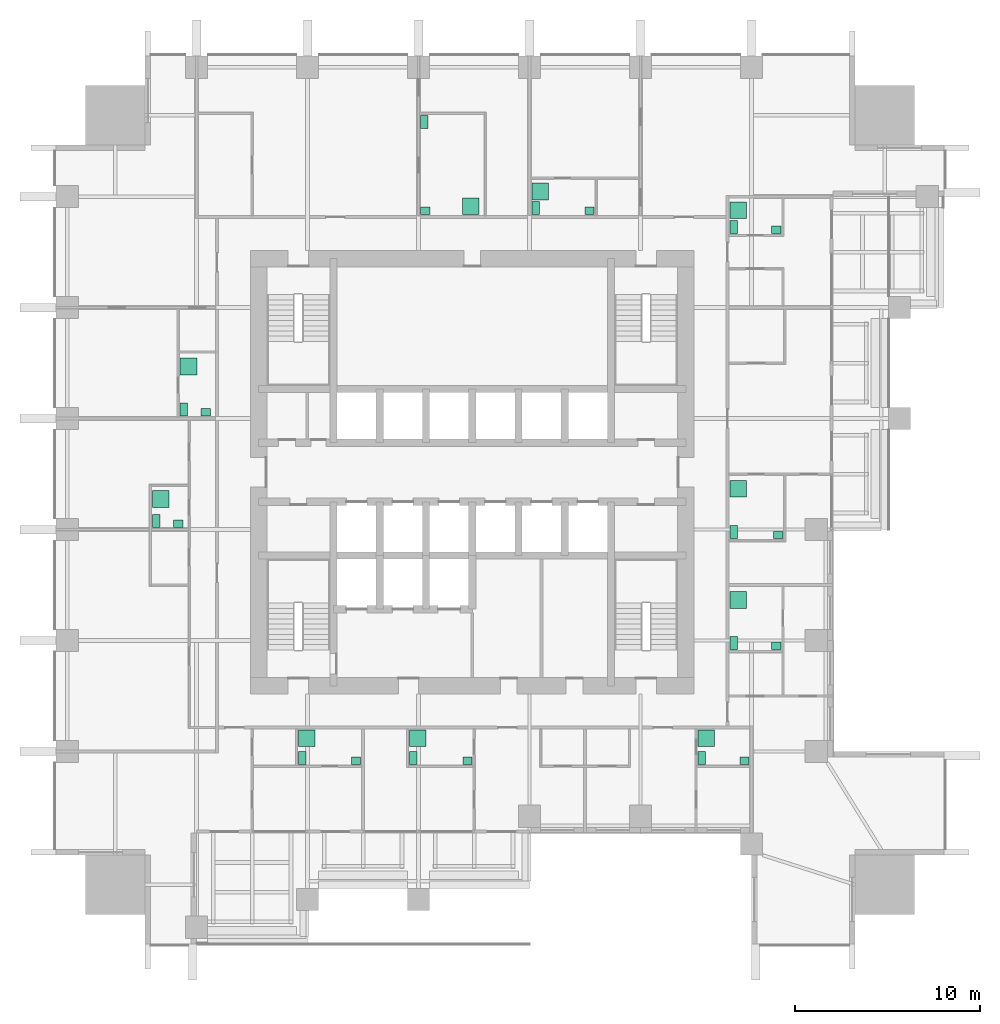
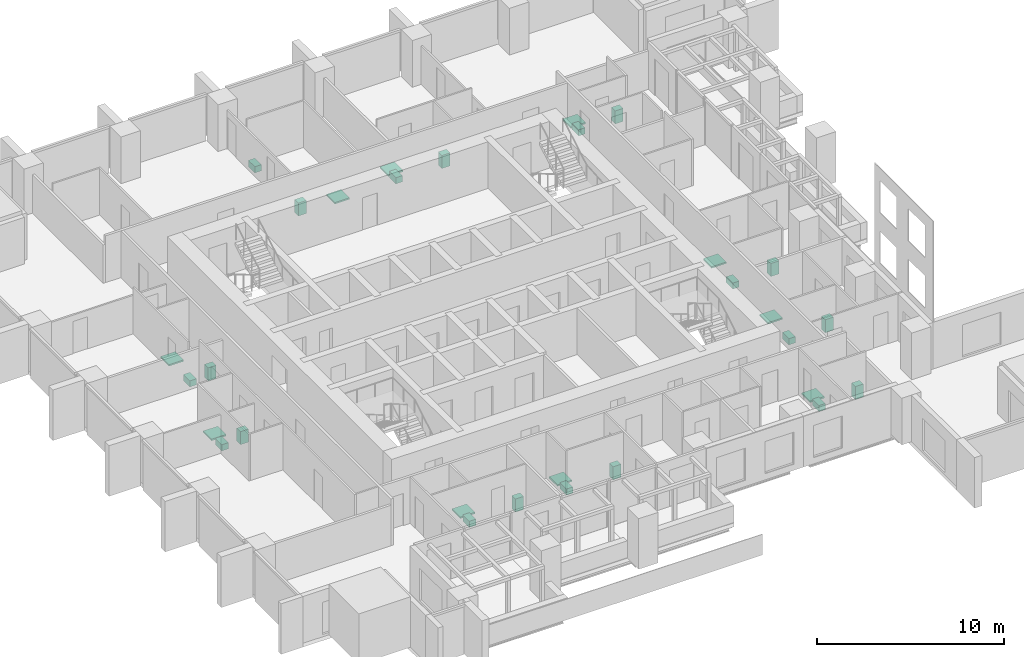
# One storey, part 15 of 15: 30 sanitary terminals.
"""IFC4 building model written with IfcOpenShell, lengths in metres."""

from ifc_helpers import new_model, si_unit, direction, frame, origin, origin_2d, place, context, subcontext, project, spatial, rectangle, extrude, element, save


model = new_model("IFC4")

# Units and contexts
model_context = context("Model", 3, precision=1e-05, world=origin(), true_north=direction((0.0, 1.0)))
body_context = subcontext(model_context, "Body", "Model", "MODEL_VIEW")
ifc_project = project(units=[si_unit("LENGTHUNIT", "METRE"), si_unit("AREAUNIT", "SQUARE_METRE"), si_unit("VOLUMEUNIT", "CUBIC_METRE"), si_unit("PLANEANGLEUNIT", "RADIAN"), si_unit("MASSUNIT", "GRAM", prefix="KILO")], contexts=[model_context])

# Site, building, storey
site_placement = place(None, origin())
site = spatial("IfcSite", under=ifc_project, at=site_placement, CompositionType="ELEMENT")
building_placement = place(site_placement, origin())
building = spatial("IfcBuilding", under=site, at=building_placement, Name="Amberfall Residences", CompositionType="ELEMENT")
storey_placement = place(building_placement, frame((0.0, 0.0, 53.199951171875)))
storey = spatial("IfcBuildingStorey", under=building, at=storey_placement, Name="L14", CompositionType="ELEMENT", Elevation=53.199951171875)

# Sanitary terminals
sanitary_terminal_1_placement = place(storey_placement, frame((65.31005859375, 30.06005859375, 0.0), z_axis=(0.0, 0.0, 1.0), x_axis=(1.0, 0.0, 0.0)))
element("IfcSanitaryTerminal", 1, at=sanitary_terminal_1_placement, inside=storey, Name="Water closet 1401", PredefinedType="TOILETPAN", context=body_context, shape_type="SweptSolid", body=[
    extrude(rectangle(XDim=0.39990234375, YDim=0.699951171875, at=origin_2d()), origin(), (0.0, 0.0, 1.0), 0.39990234375),
])
sanitary_terminal_2_placement = place(storey_placement, frame((68.215087890625, 29.909912109375, 0.0), z_axis=(0.0, 0.0, 1.0), x_axis=(1.0, 0.0, 0.0)))
element("IfcSanitaryTerminal", 2, at=sanitary_terminal_2_placement, inside=storey, Name="Basin 1401", PredefinedType="WASHHANDBASIN", context=body_context, shape_type="SweptSolid", body=[
    extrude(rectangle(XDim=0.5, YDim=0.39990234375, at=origin_2d()), origin(), (0.0, 0.0, 1.0), 0.85009765625),
])
sanitary_terminal_3_placement = place(storey_placement, frame((65.56005859375, 31.114990234375, 0.0), z_axis=(0.0, 0.0, 1.0), x_axis=(1.0, 0.0, 0.0)))
element("IfcSanitaryTerminal", 3, at=sanitary_terminal_3_placement, inside=storey, Name="Shower tray 1401", PredefinedType="SHOWER", context=body_context, shape_type="SweptSolid", body=[
    extrude(rectangle(XDim=0.89990234375, YDim=0.89990234375, at=origin_2d()), origin(), (0.0, 0.0, 1.0), 0.10009765625),
])
sanitary_terminal_4_placement = place(storey_placement, frame((71.31005859375, 30.06005859375, 0.0), z_axis=(0.0, 0.0, 1.0), x_axis=(1.0, 0.0, 0.0)))
element("IfcSanitaryTerminal", 4, at=sanitary_terminal_4_placement, inside=storey, Name="Water closet 1402", PredefinedType="TOILETPAN", context=body_context, shape_type="SweptSolid", body=[
    extrude(rectangle(XDim=0.39990234375, YDim=0.699951171875, at=origin_2d()), origin(), (0.0, 0.0, 1.0), 0.39990234375),
])
sanitary_terminal_5_placement = place(storey_placement, frame((74.239990234375, 29.909912109375, 0.0), z_axis=(0.0, 0.0, 1.0), x_axis=(1.0, 0.0, 0.0)))
element("IfcSanitaryTerminal", 5, at=sanitary_terminal_5_placement, inside=storey, Name="Basin 1402", PredefinedType="WASHHANDBASIN", context=body_context, shape_type="SweptSolid", body=[
    extrude(rectangle(XDim=0.5, YDim=0.39990234375, at=origin_2d()), origin(), (0.0, 0.0, 1.0), 0.85009765625),
])
sanitary_terminal_6_placement = place(storey_placement, frame((71.56005859375, 31.114990234375, 0.0), z_axis=(0.0, 0.0, 1.0), x_axis=(1.0, 0.0, 0.0)))
element("IfcSanitaryTerminal", 6, at=sanitary_terminal_6_placement, inside=storey, Name="Shower tray 1402", PredefinedType="SHOWER", context=body_context, shape_type="SweptSolid", body=[
    extrude(rectangle(XDim=0.89990234375, YDim=0.89990234375, at=origin_2d()), origin(), (0.0, 0.0, 1.0), 0.10009765625),
])
sanitary_terminal_7_placement = place(storey_placement, frame((86.909912109375, 30.06005859375, 0.0), z_axis=(0.0, 0.0, 1.0), x_axis=(1.0, 0.0, 0.0)))
element("IfcSanitaryTerminal", 7, at=sanitary_terminal_7_placement, inside=storey, Name="Water closet 1403", PredefinedType="TOILETPAN", context=body_context, shape_type="SweptSolid", body=[
    extrude(rectangle(XDim=0.39990234375, YDim=0.699951171875, at=origin_2d()), origin(), (0.0, 0.0, 1.0), 0.39990234375),
])
sanitary_terminal_8_placement = place(storey_placement, frame((89.215087890625, 29.909912109375, 0.0), z_axis=(0.0, 0.0, 1.0), x_axis=(1.0, 0.0, 0.0)))
element("IfcSanitaryTerminal", 8, at=sanitary_terminal_8_placement, inside=storey, Name="Basin 1403", PredefinedType="WASHHANDBASIN", context=body_context, shape_type="SweptSolid", body=[
    extrude(rectangle(XDim=0.5, YDim=0.39990234375, at=origin_2d()), origin(), (0.0, 0.0, 1.0), 0.85009765625),
])
sanitary_terminal_9_placement = place(storey_placement, frame((87.159912109375, 31.114990234375, 0.0), z_axis=(0.0, 0.0, 1.0), x_axis=(1.0, 0.0, 0.0)))
element("IfcSanitaryTerminal", 9, at=sanitary_terminal_9_placement, inside=storey, Name="Shower tray 1403", PredefinedType="SHOWER", context=body_context, shape_type="SweptSolid", body=[
    extrude(rectangle(XDim=0.89990234375, YDim=0.89990234375, at=origin_2d()), origin(), (0.0, 0.0, 1.0), 0.10009765625),
])
sanitary_terminal_10_placement = place(storey_placement, frame((88.635009765625, 36.260009765625, 0.0), z_axis=(0.0, 0.0, 1.0), x_axis=(1.0, 0.0, 0.0)))
element("IfcSanitaryTerminal", 10, at=sanitary_terminal_10_placement, inside=storey, Name="Water closet 1404", PredefinedType="TOILETPAN", context=body_context, shape_type="SweptSolid", body=[
    extrude(rectangle(XDim=0.39990234375, YDim=0.699951171875, at=origin_2d()), origin(), (0.0, 0.0, 1.0), 0.39990234375),
])
sanitary_terminal_11_placement = place(storey_placement, frame((90.93994140625, 36.110107421875, 0.0), z_axis=(0.0, 0.0, 1.0), x_axis=(1.0, 0.0, 0.0)))
element("IfcSanitaryTerminal", 11, at=sanitary_terminal_11_placement, inside=storey, Name="Basin 1404", PredefinedType="WASHHANDBASIN", context=body_context, shape_type="SweptSolid", body=[
    extrude(rectangle(XDim=0.5, YDim=0.39990234375, at=origin_2d()), origin(), (0.0, 0.0, 1.0), 0.85009765625),
])
sanitary_terminal_12_placement = place(storey_placement, frame((88.885009765625, 38.591796875, 0.0), z_axis=(0.0, 0.0, 1.0), x_axis=(1.0, 0.0, 0.0)))
element("IfcSanitaryTerminal", 12, at=sanitary_terminal_12_placement, inside=storey, Name="Shower tray 1404", PredefinedType="SHOWER", context=body_context, shape_type="SweptSolid", body=[
    extrude(rectangle(XDim=0.89990234375, YDim=0.89990234375, at=origin_2d()), origin(), (0.0, 0.0, 1.0), 0.10009765625),
])
sanitary_terminal_13_placement = place(storey_placement, frame((88.635009765625, 42.260009765625, 0.0), z_axis=(0.0, 0.0, 1.0), x_axis=(1.0, 0.0, 0.0)))
element("IfcSanitaryTerminal", 13, at=sanitary_terminal_13_placement, inside=storey, Name="Water closet 1405", PredefinedType="TOILETPAN", context=body_context, shape_type="SweptSolid", body=[
    extrude(rectangle(XDim=0.39990234375, YDim=0.699951171875, at=origin_2d()), origin(), (0.0, 0.0, 1.0), 0.39990234375),
])
sanitary_terminal_14_placement = place(storey_placement, frame((91.0400390625, 42.110107421875, 0.0), z_axis=(0.0, 0.0, 1.0), x_axis=(1.0, 0.0, 0.0)))
element("IfcSanitaryTerminal", 14, at=sanitary_terminal_14_placement, inside=storey, Name="Basin 1405", PredefinedType="WASHHANDBASIN", context=body_context, shape_type="SweptSolid", body=[
    extrude(rectangle(XDim=0.5, YDim=0.39990234375, at=origin_2d()), origin(), (0.0, 0.0, 1.0), 0.85009765625),
])
sanitary_terminal_15_placement = place(storey_placement, frame((88.885009765625, 44.614501953125, 0.0), z_axis=(0.0, 0.0, 1.0), x_axis=(1.0, 0.0, 0.0)))
element("IfcSanitaryTerminal", 15, at=sanitary_terminal_15_placement, inside=storey, Name="Shower tray 1405", PredefinedType="SHOWER", context=body_context, shape_type="SweptSolid", body=[
    extrude(rectangle(XDim=0.89990234375, YDim=0.89990234375, at=origin_2d()), origin(), (0.0, 0.0, 1.0), 0.10009765625),
])
sanitary_terminal_16_placement = place(storey_placement, frame((88.635009765625, 58.760009765625, 0.0), z_axis=(0.0, 0.0, 1.0), x_axis=(1.0, 0.0, 0.0)))
element("IfcSanitaryTerminal", 16, at=sanitary_terminal_16_placement, inside=storey, Name="Water closet 1406", PredefinedType="TOILETPAN", context=body_context, shape_type="SweptSolid", body=[
    extrude(rectangle(XDim=0.39990234375, YDim=0.699951171875, at=origin_2d()), origin(), (0.0, 0.0, 1.0), 0.39990234375),
])
sanitary_terminal_17_placement = place(storey_placement, frame((90.93994140625, 58.610107421875, 0.0), z_axis=(0.0, 0.0, 1.0), x_axis=(1.0, 0.0, 0.0)))
element("IfcSanitaryTerminal", 17, at=sanitary_terminal_17_placement, inside=storey, Name="Basin 1406", PredefinedType="WASHHANDBASIN", context=body_context, shape_type="SweptSolid", body=[
    extrude(rectangle(XDim=0.5, YDim=0.39990234375, at=origin_2d()), origin(), (0.0, 0.0, 1.0), 0.85009765625),
])
sanitary_terminal_18_placement = place(storey_placement, frame((88.885009765625, 59.65576171875, 0.0), z_axis=(0.0, 0.0, 1.0), x_axis=(1.0, 0.0, 0.0)))
element("IfcSanitaryTerminal", 18, at=sanitary_terminal_18_placement, inside=storey, Name="Shower tray 1406", PredefinedType="SHOWER", context=body_context, shape_type="SweptSolid", body=[
    extrude(rectangle(XDim=0.89990234375, YDim=0.89990234375, at=origin_2d()), origin(), (0.0, 0.0, 1.0), 0.10009765625),
])
sanitary_terminal_19_placement = place(storey_placement, frame((71.909912109375, 64.43994140625, 0.0), z_axis=(0.0, 0.0, 1.0), x_axis=(1.0, 0.0, 0.0)))
element("IfcSanitaryTerminal", 19, at=sanitary_terminal_19_placement, inside=storey, Name="Water closet 1407", PredefinedType="TOILETPAN", context=body_context, shape_type="SweptSolid", body=[
    extrude(rectangle(XDim=0.39990234375, YDim=0.699951171875, at=origin_2d()), origin(), (0.0, 0.0, 1.0), 0.39990234375),
])
sanitary_terminal_20_placement = place(storey_placement, frame((71.9599609375, 59.635009765625, 0.0), z_axis=(0.0, 0.0, 1.0), x_axis=(1.0, 0.0, 0.0)))
element("IfcSanitaryTerminal", 20, at=sanitary_terminal_20_placement, inside=storey, Name="Basin 1407", PredefinedType="WASHHANDBASIN", context=body_context, shape_type="SweptSolid", body=[
    extrude(rectangle(XDim=0.5, YDim=0.39990234375, at=origin_2d()), origin(), (0.0, 0.0, 1.0), 0.85009765625),
])
sanitary_terminal_21_placement = place(storey_placement, frame((74.41455078125, 59.885009765625, 0.0), z_axis=(0.0, 0.0, 1.0), x_axis=(1.0, 0.0, 0.0)))
element("IfcSanitaryTerminal", 21, at=sanitary_terminal_21_placement, inside=storey, Name="Shower tray 1407", PredefinedType="SHOWER", context=body_context, shape_type="SweptSolid", body=[
    extrude(rectangle(XDim=0.89990234375, YDim=0.89990234375, at=origin_2d()), origin(), (0.0, 0.0, 1.0), 0.10009765625),
])
sanitary_terminal_22_placement = place(storey_placement, frame((77.93505859375, 59.784912109375, 0.0), z_axis=(0.0, 0.0, 1.0), x_axis=(1.0, 0.0, 0.0)))
element("IfcSanitaryTerminal", 22, at=sanitary_terminal_22_placement, inside=storey, Name="Water closet 1408", PredefinedType="TOILETPAN", context=body_context, shape_type="SweptSolid", body=[
    extrude(rectangle(XDim=0.39990234375, YDim=0.699951171875, at=origin_2d()), origin(), (0.0, 0.0, 1.0), 0.39990234375),
])
sanitary_terminal_23_placement = place(storey_placement, frame((80.840087890625, 59.635009765625, 0.0), z_axis=(0.0, 0.0, 1.0), x_axis=(1.0, 0.0, 0.0)))
element("IfcSanitaryTerminal", 23, at=sanitary_terminal_23_placement, inside=storey, Name="Basin 1408", PredefinedType="WASHHANDBASIN", context=body_context, shape_type="SweptSolid", body=[
    extrude(rectangle(XDim=0.5, YDim=0.39990234375, at=origin_2d()), origin(), (0.0, 0.0, 1.0), 0.85009765625),
])
sanitary_terminal_24_placement = place(storey_placement, frame((78.18505859375, 60.680908203125, 0.0), z_axis=(0.0, 0.0, 1.0), x_axis=(1.0, 0.0, 0.0)))
element("IfcSanitaryTerminal", 24, at=sanitary_terminal_24_placement, inside=storey, Name="Shower tray 1408", PredefinedType="SHOWER", context=body_context, shape_type="SweptSolid", body=[
    extrude(rectangle(XDim=0.89990234375, YDim=0.89990234375, at=origin_2d()), origin(), (0.0, 0.0, 1.0), 0.10009765625),
])
sanitary_terminal_25_placement = place(storey_placement, frame((57.409912109375, 42.860107421875, 0.0), z_axis=(0.0, 0.0, 1.0), x_axis=(1.0, 0.0, 0.0)))
element("IfcSanitaryTerminal", 25, at=sanitary_terminal_25_placement, inside=storey, Name="Water closet 1409", PredefinedType="TOILETPAN", context=body_context, shape_type="SweptSolid", body=[
    extrude(rectangle(XDim=0.39990234375, YDim=0.699951171875, at=origin_2d()), origin(), (0.0, 0.0, 1.0), 0.39990234375),
])
sanitary_terminal_26_placement = place(storey_placement, frame((58.610107421875, 42.7099609375, 0.0), z_axis=(0.0, 0.0, 1.0), x_axis=(1.0, 0.0, 0.0)))
element("IfcSanitaryTerminal", 26, at=sanitary_terminal_26_placement, inside=storey, Name="Basin 1409", PredefinedType="WASHHANDBASIN", context=body_context, shape_type="SweptSolid", body=[
    extrude(rectangle(XDim=0.5, YDim=0.39990234375, at=origin_2d()), origin(), (0.0, 0.0, 1.0), 0.85009765625),
])
sanitary_terminal_27_placement = place(storey_placement, frame((57.659912109375, 44.05712890625, 0.0), z_axis=(0.0, 0.0, 1.0), x_axis=(1.0, 0.0, 0.0)))
element("IfcSanitaryTerminal", 27, at=sanitary_terminal_27_placement, inside=storey, Name="Shower tray 1409", PredefinedType="SHOWER", context=body_context, shape_type="SweptSolid", body=[
    extrude(rectangle(XDim=0.89990234375, YDim=0.89990234375, at=origin_2d()), origin(), (0.0, 0.0, 1.0), 0.10009765625),
])
sanitary_terminal_28_placement = place(storey_placement, frame((58.909912109375, 48.885009765625, 0.0), z_axis=(0.0, 0.0, 1.0), x_axis=(1.0, 0.0, 0.0)))
element("IfcSanitaryTerminal", 28, at=sanitary_terminal_28_placement, inside=storey, Name="Water closet 1410", PredefinedType="TOILETPAN", context=body_context, shape_type="SweptSolid", body=[
    extrude(rectangle(XDim=0.39990234375, YDim=0.699951171875, at=origin_2d()), origin(), (0.0, 0.0, 1.0), 0.39990234375),
])
sanitary_terminal_29_placement = place(storey_placement, frame((60.089111328125, 48.735107421875, 0.0), z_axis=(0.0, 0.0, 1.0), x_axis=(1.0, 0.0, 0.0)))
element("IfcSanitaryTerminal", 29, at=sanitary_terminal_29_placement, inside=storey, Name="Basin 1410", PredefinedType="WASHHANDBASIN", context=body_context, shape_type="SweptSolid", body=[
    extrude(rectangle(XDim=0.5, YDim=0.39990234375, at=origin_2d()), origin(), (0.0, 0.0, 1.0), 0.85009765625),
])
sanitary_terminal_30_placement = place(storey_placement, frame((59.159912109375, 51.216796875, 0.0), z_axis=(0.0, 0.0, 1.0), x_axis=(1.0, 0.0, 0.0)))
element("IfcSanitaryTerminal", 30, at=sanitary_terminal_30_placement, inside=storey, Name="Shower tray 1410", PredefinedType="SHOWER", context=body_context, shape_type="SweptSolid", body=[
    extrude(rectangle(XDim=0.89990234375, YDim=0.89990234375, at=origin_2d()), origin(), (0.0, 0.0, 1.0), 0.10009765625),
])

save(model, "model.ifc")
